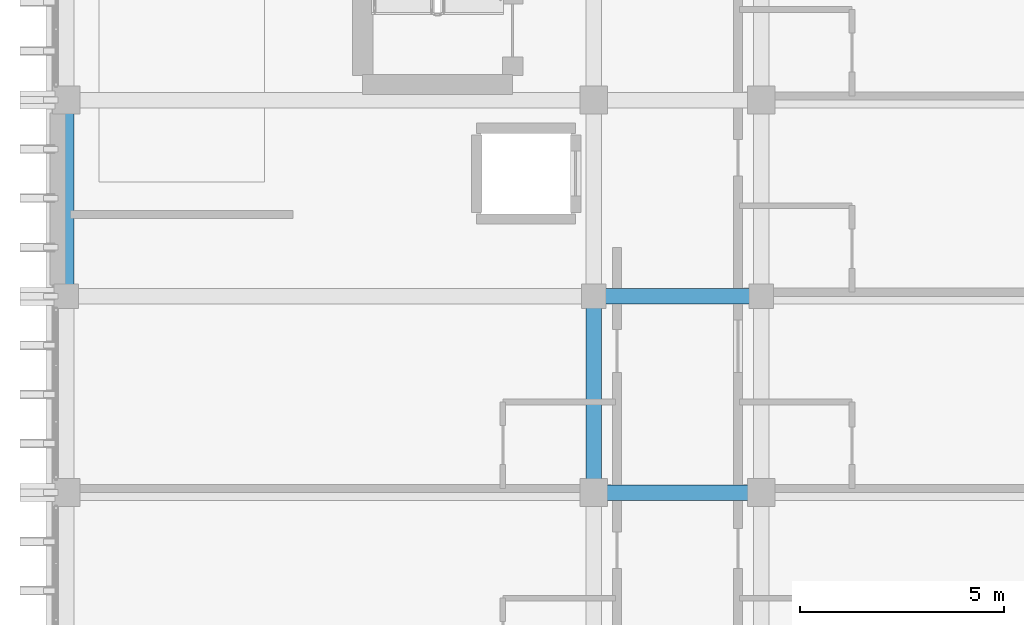
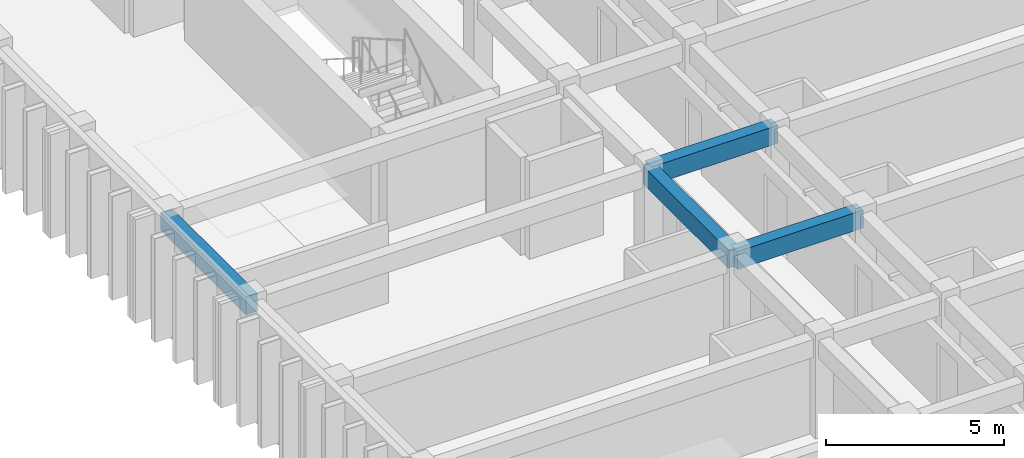
# One storey, part 10 of 53: 4 beams.
"""IFC4 building model written with IfcOpenShell, lengths in metres."""

from ifc_helpers import new_model, si_unit, direction, frame, origin, origin_2d, place, context, subcontext, project, spatial, rectangle, extrude, material, material_profile, profile_set, type_object, element, save


model = new_model("IFC4")

# Units and contexts
model_context = context("Model", 3, precision=1e-05, world=origin(), true_north=direction((0.0, 1.0)))
body_context = subcontext(model_context, "Body", "Model", "MODEL_VIEW")
ifc_project = project(units=[si_unit("LENGTHUNIT", "METRE"), si_unit("AREAUNIT", "SQUARE_METRE"), si_unit("VOLUMEUNIT", "CUBIC_METRE"), si_unit("PLANEANGLEUNIT", "RADIAN"), si_unit("MASSUNIT", "GRAM", prefix="KILO")], contexts=[model_context])

# Site, building, storey
site_placement = place(None, origin())
site = spatial("IfcSite", under=ifc_project, at=site_placement, CompositionType="ELEMENT")
building_placement = place(site_placement, origin())
building = spatial("IfcBuilding", under=site, at=building_placement, Name="Nakhvara Creek Congress Hotel", CompositionType="ELEMENT")
storey_placement = place(building_placement, frame((0.0, 0.0, 35.39990234375)))
storey = spatial("IfcBuildingStorey", under=building, at=storey_placement, Name="L08", CompositionType="ELEMENT", Elevation=35.39990234375)

# Beams
ifc_material = material(Name="Concrete C40/50", Category="concrete")
ifc_material_profile = material_profile(ifc_material, rectangle(XDim=0.3798828125, YDim=0.6201171875, at=origin_2d()), Name="RC-BM 380x620", Category="LoadBearing")
ifc_profile_set = profile_set([ifc_material_profile], Name="Concrete C40/50")
beam_type = type_object("IfcBeamType", Name="BM-RC-380X620", PredefinedType="BEAM", material=ifc_profile_set)
beam_1_placement = place(storey_placement, frame((149.449951171875, 72.0, 3.050048828125), z_axis=(0.0, 1.0, 0.0), x_axis=(-1.0, 0.0, 0.0)))
element("IfcBeam", 1, at=beam_1_placement, inside=storey, type_object=beam_type, Name="Beam B10-L08-2436", PredefinedType="BEAM", context=body_context, shape_type="SweptSolid", body=[
    extrude(rectangle(XDim=0.3798828125, YDim=0.6201171875, at=origin_2d()), origin(), (0.0, 0.0, 1.0), 4.800048828125),
])
beam_2_placement = place(storey_placement, frame((162.35009765625, 67.199951171875, 3.050048828125), z_axis=(1.0, 0.0, 0.0), x_axis=(0.0, 1.0, 0.0)))
element("IfcBeam", 2, at=beam_2_placement, inside=storey, type_object=beam_type, Name="Beam B10-L08-2453", PredefinedType="BEAM", context=body_context, shape_type="SweptSolid", body=[
    extrude(rectangle(XDim=0.3798828125, YDim=0.6201171875, at=origin_2d()), origin(), (0.0, 0.0, 1.0), 4.099853515625),
])
beam_3_placement = place(storey_placement, frame((162.35009765625, 67.199951171875, 3.050048828125), z_axis=(0.0, 1.0, 0.0), x_axis=(-1.0, 0.0, 0.0)))
element("IfcBeam", 3, at=beam_3_placement, inside=storey, type_object=beam_type, Name="Beam B10-L08-2455", PredefinedType="BEAM", context=body_context, shape_type="SweptSolid", body=[
    extrude(rectangle(XDim=0.3798828125, YDim=0.6201171875, at=origin_2d()), origin(), (0.0, 0.0, 1.0), 4.800048828125),
])
beam_4_placement = place(storey_placement, frame((162.35009765625, 72.0, 3.050048828125), z_axis=(1.0, 0.0, 0.0), x_axis=(0.0, 1.0, 0.0)))
element("IfcBeam", 4, at=beam_4_placement, inside=storey, type_object=beam_type, Name="Beam B10-L08-2519", PredefinedType="BEAM", context=body_context, shape_type="SweptSolid", body=[
    extrude(rectangle(XDim=0.3798828125, YDim=0.6201171875, at=origin_2d()), origin(), (0.0, 0.0, 1.0), 4.099853515625),
])

save(model, "model.ifc")
